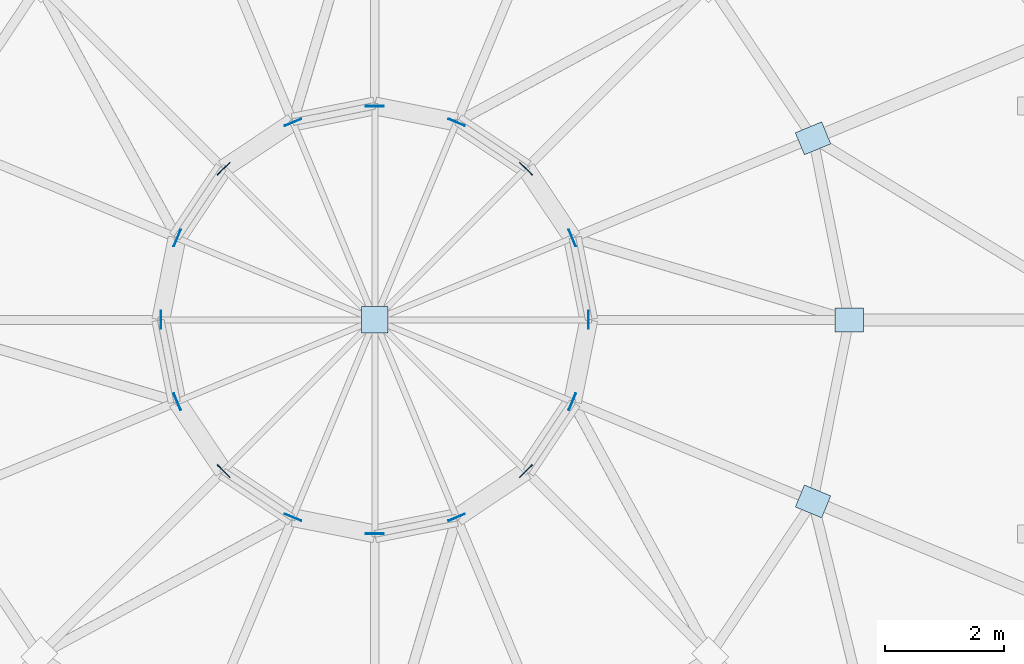
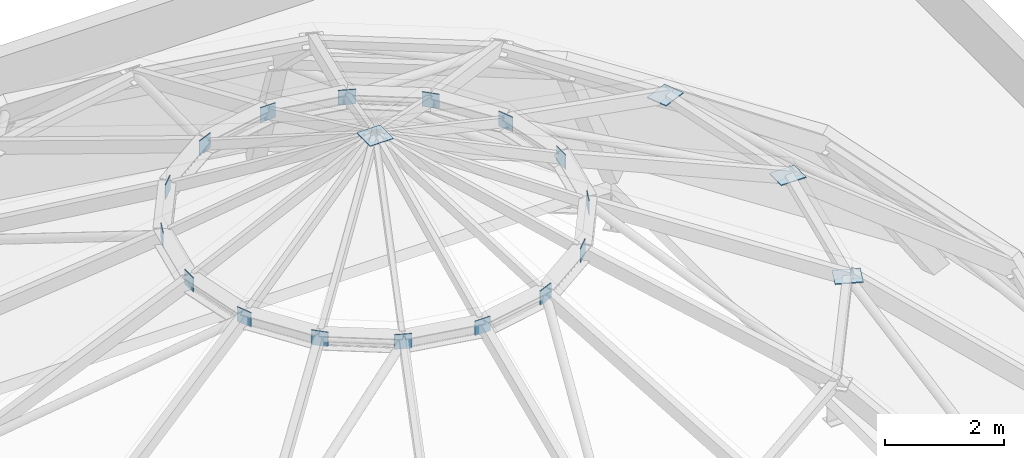
# One storey, part 37 of 66: 20 plates.
"""IFC4 building model written with IfcOpenShell, lengths in metres."""

from ifc_helpers import new_model, si_unit, direction, frame, origin, origin_2d, place, context, subcontext, project, spatial, rectangle, extrude, material, layer, layer_set, type_object, element, save


model = new_model("IFC4")

# Units and contexts
model_context = context("Model", 3, precision=1e-05, world=origin(), true_north=direction((0.0, 1.0)))
body_context = subcontext(model_context, "Body", "Model", "MODEL_VIEW")
ifc_project = project(units=[si_unit("LENGTHUNIT", "METRE"), si_unit("AREAUNIT", "SQUARE_METRE"), si_unit("VOLUMEUNIT", "CUBIC_METRE"), si_unit("PLANEANGLEUNIT", "RADIAN"), si_unit("MASSUNIT", "GRAM", prefix="KILO")], contexts=[model_context])

# Site, building, storey
site_placement = place(None, origin())
site = spatial("IfcSite", under=ifc_project, at=site_placement, CompositionType="ELEMENT")
building_placement = place(site_placement, origin())
building = spatial("IfcBuilding", under=site, at=building_placement, Name="Narikvali Park Central Library", CompositionType="ELEMENT")
storey_placement = place(building_placement, frame((0.0, 0.0, 18.60009765625)))
storey = spatial("IfcBuildingStorey", under=building, at=storey_placement, Name="L04", CompositionType="ELEMENT", Elevation=18.60009765625)

# Plates
ifc_material = material(Name="Steel S355", Category="steel")
ifc_layer_1 = layer(ifc_material, 0.02001953125, Name="Steel S355")
ifc_layer_set_1 = layer_set([ifc_layer_1], Name="Steel S355")
plate_type_1 = type_object("IfcPlateType", Name="Dome Ring Node Gusset Plate 20", PredefinedType="SHEET", material=ifc_layer_set_1)
for number, where, z_axis, x_axis, name in (
    (1, (90.780029296875, 75.60009765625, 7.6298828125), (0.0, 0.0, 1.0), (1.0, 0.0, 0.0), "Dome Hoop Node Gusset Plate T2-01"),
    (2, (90.172607421875, 78.65380859375, 7.6298828125), (0.0, 0.0, 1.0), (0.923879532511, 0.382683432365, 0.0), "Dome Hoop Node Gusset Plate T2-02"),
    (3, (90.172607421875, 72.546142578125, 7.6298828125), (0.0, 0.0, 1.0), (0.923879532511, -0.382683432365, 0.0), "Dome Hoop Node Gusset Plate T2-16"),
):
    element("IfcPlate", number, at=place(storey_placement, frame(where, z_axis=z_axis, x_axis=x_axis)), inside=storey, type_object=plate_type_1, Name=name, PredefinedType="SHEET", context=body_context, shape_type="SweptSolid", body=[
        extrude(rectangle(XDim=0.47998046875, YDim=0.39990234375, at=origin_2d()), origin(), (0.0, 0.0, 1.0), 0.02001953125),
    ])
ifc_layer_2 = layer(ifc_material, 0.013916015625, Name="Steel S355")
ifc_layer_set_2 = layer_set([ifc_layer_2], Name="Steel S355")
plate_type_2 = type_object("IfcPlateType", Name="Steel Hollow End Cap Plate 14", PredefinedType="SHEET", material=ifc_layer_set_2)
for number, where, z_axis, x_axis, name in (
    (4, (86.396240234375, 75.60009765625, 9.3916015625), (0.0, 0.0, 1.0), (-1.0, 0.0, 0.0), "Hollow Section Steel End Cap DOME-RCAP-T-01"),
    (5, (86.12255859375, 76.976318359375, 9.3916015625), (0.0, 0.0, 1.0), (-0.923879532511, -0.382683432365, 0.0), "Hollow Section Steel End Cap DOME-RCAP-T-02"),
):
    element("IfcPlate", number, at=place(storey_placement, frame(where, z_axis=z_axis, x_axis=x_axis)), inside=storey, type_object=plate_type_2, Name=name, PredefinedType="SHEET", context=body_context, shape_type="SweptSolid", body=[
        extrude(rectangle(XDim=0.013916015625, YDim=0.300048828125, at=origin_2d()), origin(), (0.0, 0.0, 1.0), 0.300048828125),
    ])
for number, where, z_axis, x_axis, name in (
    (6, (85.343017578125, 78.14306640625, 9.3916015625), (0.0, 0.0, 1.0), (-0.707106781187, 0.707106781187, 0.0), "Hollow Section Steel End Cap DOME-RCAP-T-03"),
    (7, (84.17626953125, 78.922607421875, 9.3916015625), (0.0, 0.0, 1.0), (-0.923879532511, 0.382683432365, 0.0), "Hollow Section Steel End Cap DOME-RCAP-T-04"),
    (8, (82.800048828125, 79.1962890625, 9.3916015625), (0.0, 0.0, 1.0), (-1.0, 0.0, 0.0), "Hollow Section Steel End Cap DOME-RCAP-T-05"),
    (9, (81.423583984375, 78.922607421875, 9.3916015625), (0.0, 0.0, 1.0), (-0.923879532511, -0.382683432365, 0.0), "Hollow Section Steel End Cap DOME-RCAP-T-06"),
    (10, (80.257080078125, 78.14306640625, 9.3916015625), (0.0, 0.0, 1.0), (-0.707106781187, -0.707106781187, 0.0), "Hollow Section Steel End Cap DOME-RCAP-T-07"),
):
    element("IfcPlate", number, at=place(storey_placement, frame(where, z_axis=z_axis, x_axis=x_axis)), inside=storey, type_object=plate_type_2, Name=name, PredefinedType="SHEET", context=body_context, shape_type="SweptSolid", body=[
        extrude(rectangle(XDim=0.300048828125, YDim=0.013916015625, at=origin_2d()), origin(), (0.0, 0.0, 1.0), 0.300048828125),
    ])
for number, where, z_axis, x_axis, name in (
    (11, (79.477294921875, 76.976318359375, 9.3916015625), (0.0, 0.0, 1.0), (0.923879532511, -0.382683432365, 0.0), "Hollow Section Steel End Cap DOME-RCAP-T-08"),
    (12, (79.20361328125, 75.60009765625, 9.3916015625), (0.0, 0.0, 1.0), (1.0, 0.0, 0.0), "Hollow Section Steel End Cap DOME-RCAP-T-09"),
    (13, (79.477294921875, 74.2236328125, 9.3916015625), (0.0, 0.0, 1.0), (0.923879532511, 0.382683432365, 0.0), "Hollow Section Steel End Cap DOME-RCAP-T-10"),
):
    element("IfcPlate", number, at=place(storey_placement, frame(where, z_axis=z_axis, x_axis=x_axis)), inside=storey, type_object=plate_type_2, Name=name, PredefinedType="SHEET", context=body_context, shape_type="SweptSolid", body=[
        extrude(rectangle(XDim=0.013916015625, YDim=0.300048828125, at=origin_2d()), origin(), (0.0, 0.0, 1.0), 0.300048828125),
    ])
for number, where, z_axis, x_axis, name in (
    (14, (80.257080078125, 73.056884765625, 9.3916015625), (0.0, 0.0, 1.0), (0.707106781187, -0.707106781187, 0.0), "Hollow Section Steel End Cap DOME-RCAP-T-11"),
    (15, (81.423583984375, 72.27734375, 9.3916015625), (0.0, 0.0, 1.0), (0.923879532511, -0.382683432365, 0.0), "Hollow Section Steel End Cap DOME-RCAP-T-12"),
    (16, (82.800048828125, 72.003662109375, 9.3916015625), (0.0, 0.0, 1.0), (1.0, 0.0, 0.0), "Hollow Section Steel End Cap DOME-RCAP-T-13"),
    (17, (84.17626953125, 72.27734375, 9.3916015625), (0.0, 0.0, 1.0), (0.923879532511, 0.382683432365, 0.0), "Hollow Section Steel End Cap DOME-RCAP-T-14"),
    (18, (85.343017578125, 73.056884765625, 9.3916015625), (0.0, 0.0, 1.0), (0.707106781187, 0.707106781187, 0.0), "Hollow Section Steel End Cap DOME-RCAP-T-15"),
):
    element("IfcPlate", number, at=place(storey_placement, frame(where, z_axis=z_axis, x_axis=x_axis)), inside=storey, type_object=plate_type_2, Name=name, PredefinedType="SHEET", context=body_context, shape_type="SweptSolid", body=[
        extrude(rectangle(XDim=0.300048828125, YDim=0.013916015625, at=origin_2d()), origin(), (0.0, 0.0, 1.0), 0.300048828125),
    ])
plate_1_placement = place(storey_placement, frame((86.12255859375, 74.2236328125, 9.3916015625), z_axis=(0.0, 0.0, 1.0), x_axis=(-0.923879532511, 0.382683432365, 0.0)))
element("IfcPlate", 19, at=plate_1_placement, inside=storey, type_object=plate_type_2, Name="Hollow Section Steel End Cap DOME-RCAP-T-16", PredefinedType="SHEET", context=body_context, shape_type="SweptSolid", body=[
    extrude(rectangle(XDim=0.013916015625, YDim=0.300048828125, at=origin_2d()), origin(), (0.0, 0.0, 1.0), 0.300048828125),
])
plate_2_placement = place(storey_placement, frame((82.800048828125, 75.60009765625, 11.23681640625), z_axis=(0.0, 0.0, 1.0), x_axis=(1.0, 0.0, 0.0)))
element("IfcPlate", 20, at=plate_2_placement, inside=storey, type_object=plate_type_2, Name="Hollow Section Steel End Cap DOME-LANTERN-APEX-CAP", PredefinedType="SHEET", context=body_context, shape_type="SweptSolid", body=[
    extrude(rectangle(XDim=0.449951171875, YDim=0.449951171875, at=origin_2d()), origin(), (0.0, 0.0, 1.0), 0.013916015625),
])

save(model, "model.ifc")
